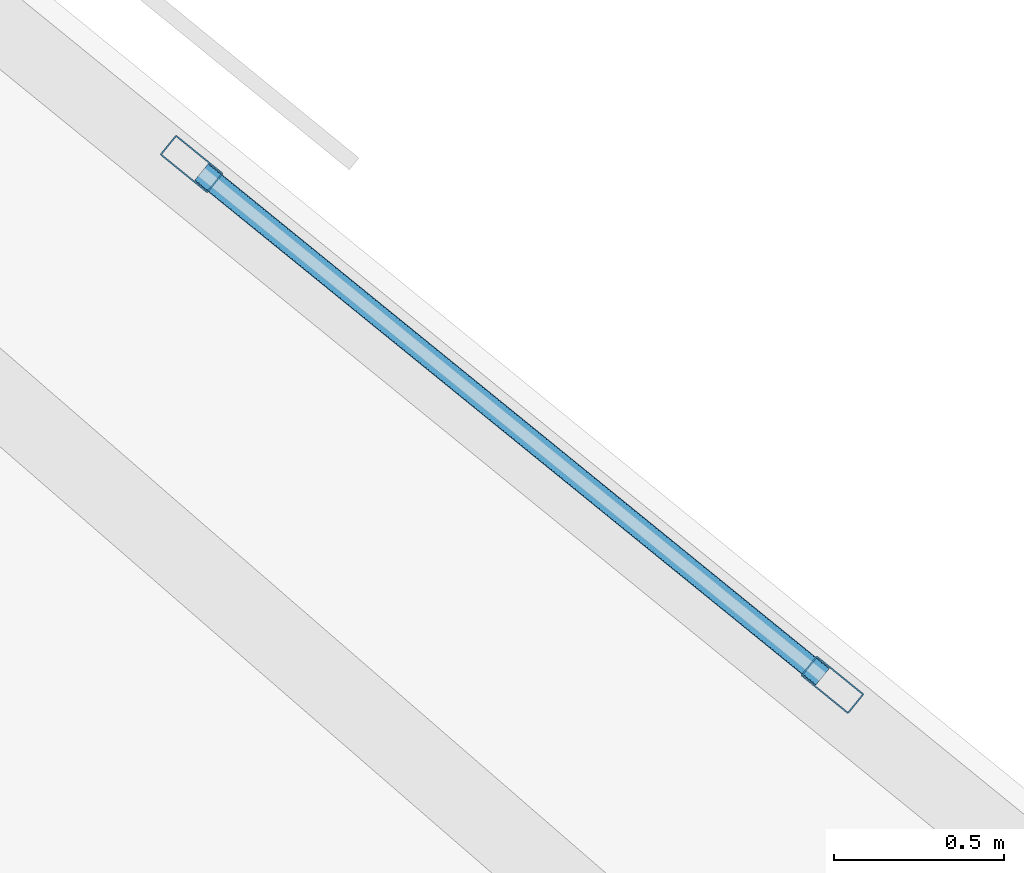
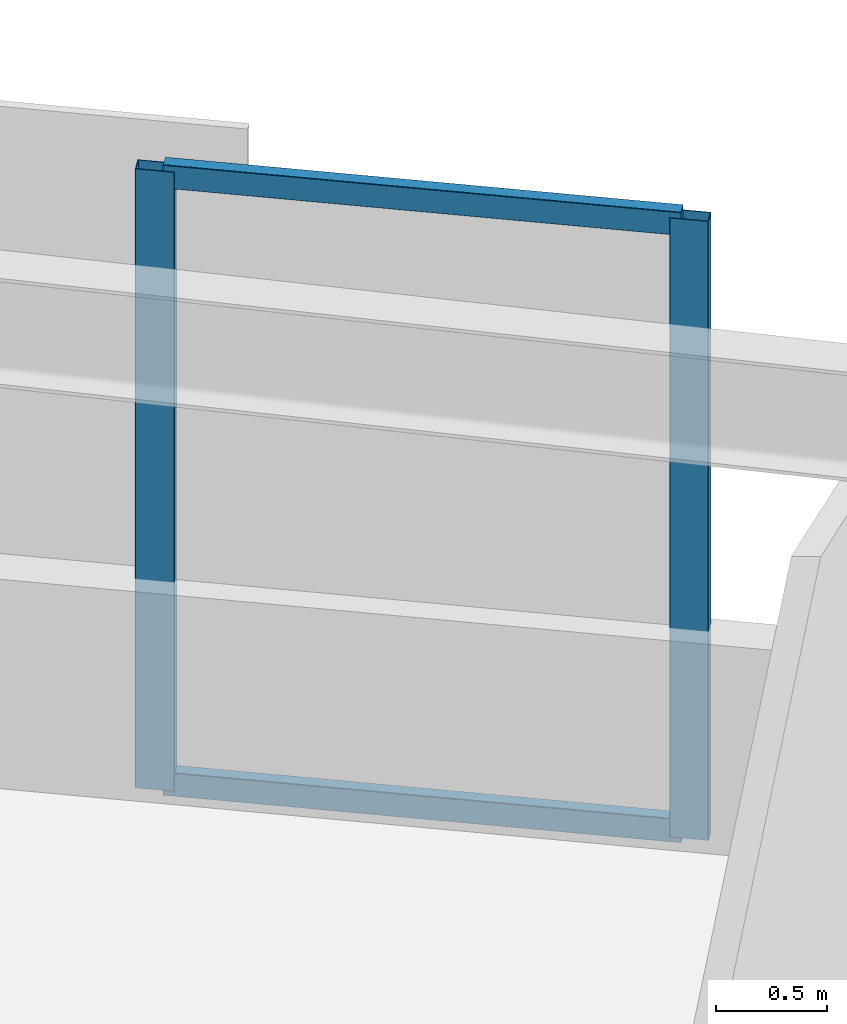
# One storey, part 2 of 17: 4 members, 1 element without a shape of its own.
"""IFC4 building model written with IfcOpenShell, lengths in metres."""

from ifc_helpers import new_model, si_unit, direction, frame, origin, origin_2d, place, context, subcontext, project, spatial, hollow_rectangle, extrude, material, material_profile, profile_set, type_object, element, aggregate, save


model = new_model("IFC4")

# Units and contexts
model_context = context("Model", 3, precision=1e-05, world=origin(), true_north=direction((0.0, 1.0)))
body_context = subcontext(model_context, "Body", "Model", "MODEL_VIEW")
ifc_project = project(units=[si_unit("LENGTHUNIT", "METRE"), si_unit("AREAUNIT", "SQUARE_METRE"), si_unit("VOLUMEUNIT", "CUBIC_METRE"), si_unit("PLANEANGLEUNIT", "RADIAN"), si_unit("MASSUNIT", "GRAM", prefix="KILO")], contexts=[model_context])

# Site, building, storey
site_placement = place(None, origin())
site = spatial("IfcSite", under=ifc_project, at=site_placement, CompositionType="ELEMENT")
building_placement = place(site_placement, origin())
building = spatial("IfcBuilding", under=site, at=building_placement, Name="Narakoshi Arena Tower", CompositionType="ELEMENT")
storey_placement = place(building_placement, frame((0.0, 0.0, 41.10009765625)))
storey = spatial("IfcBuildingStorey", under=building, at=storey_placement, Name="L10", CompositionType="ELEMENT", Elevation=41.10009765625)

# Curtain wall, members
ifc_material = material(Name="Anodised bronze aluminium 6063-T6", Category="aluminium")
curtain_wall_type = type_object("IfcCurtainWallType", Name="CW-HYP-LOW", PredefinedType="NOTDEFINED", material=ifc_material)
curtain_wall_placement = place(storey_placement, origin())
curtain_wall = element("IfcCurtainWall", 1, at=curtain_wall_placement, inside=storey, type_object=curtain_wall_type, Name="L10 Folded Hypotenuse Curtain Wall 2-1", PredefinedType="NOTDEFINED")
ifc_material_profile_1 = material_profile(ifc_material, hollow_rectangle(XDim=0.074951171875, YDim=0.179931640625, WallThickness=0.00390625, OuterFilletRadius=0.0048828125, at=origin_2d()), Name="MUL180x75x4")
ifc_profile_set_1 = profile_set([ifc_material_profile_1], Name="Anodised bronze aluminium 6063-T6")
member_type_1 = type_object("IfcMemberType", Name="MEM-MUL-180", PredefinedType="MULLION", material=ifc_profile_set_1)
member_1_placement = place(storey_placement, frame((93.34521484375, 59.196533203125, 0.0), z_axis=(0.0, 0.0, 1.0), x_axis=(-0.63072316495, -0.776007918256, 0.0)))
member_1 = element("IfcMember", 2, at=member_1_placement, type_object=member_type_1, Name="CW-01 mullion 1", PredefinedType="MULLION", context=body_context, shape_type="SweptSolid", body=[
    extrude(hollow_rectangle(XDim=0.074951171875, YDim=0.179931640625, WallThickness=0.00390625, OuterFilletRadius=0.0048828125, at=origin_2d()), origin(), (0.0, 0.0, 1.0), 3.39990234375),
])
member_2_placement = place(storey_placement, frame((91.45654296875, 60.731689453125, 0.0), z_axis=(0.0, 0.0, 1.0), x_axis=(-0.63072316495, -0.776007918256, 0.0)))
member_2 = element("IfcMember", 3, at=member_2_placement, type_object=member_type_1, Name="CW-01 mullion 2", PredefinedType="MULLION", context=body_context, shape_type="SweptSolid", body=[
    extrude(hollow_rectangle(XDim=0.074951171875, YDim=0.179931640625, WallThickness=0.00390625, OuterFilletRadius=0.0048828125, at=origin_2d()), origin(), (0.0, 0.0, 1.0), 3.39990234375),
])
ifc_material_profile_2 = material_profile(ifc_material, hollow_rectangle(XDim=0.06494140625, YDim=0.1298828125, WallThickness=0.00390625, OuterFilletRadius=0.0048828125, at=origin_2d()), Name="TRN130x65x4")
ifc_profile_set_2 = profile_set([ifc_material_profile_2], Name="Anodised bronze aluminium 6063-T6")
member_type_2 = type_object("IfcMemberType", Name="MEM-TRN-130", PredefinedType="USERDEFINED", material=ifc_profile_set_2)
member_3_placement = place(storey_placement, frame((93.316162109375, 59.22021484375, 0.032470703125), z_axis=(-0.776019017778, 0.630709508448, 0.0), x_axis=(-0.630709508448, -0.776019017778, 0.0)))
member_3 = element("IfcMember", 4, at=member_3_placement, type_object=member_type_2, Name="CW-01 transom 1.1", ObjectType="TRANSOM", PredefinedType="USERDEFINED", context=body_context, shape_type="SweptSolid", body=[
    extrude(hollow_rectangle(XDim=0.06494140625, YDim=0.1298828125, WallThickness=0.00390625, OuterFilletRadius=0.0048828125, at=origin_2d()), origin(), (0.0, 0.0, 1.0), 2.35888671875),
])
member_4_placement = place(storey_placement, frame((93.316162109375, 59.22021484375, 3.367431640625), z_axis=(-0.776019017778, 0.630709508448, 0.0), x_axis=(-0.630709508448, -0.776019017778, 0.0)))
member_4 = element("IfcMember", 5, at=member_4_placement, type_object=member_type_2, Name="CW-01 transom 1.2", ObjectType="TRANSOM", PredefinedType="USERDEFINED", context=body_context, shape_type="SweptSolid", body=[
    extrude(hollow_rectangle(XDim=0.06494140625, YDim=0.1298828125, WallThickness=0.00390625, OuterFilletRadius=0.0048828125, at=origin_2d()), origin(), (0.0, 0.0, 1.0), 2.35888671875),
])
aggregate(curtain_wall, [member_1, member_2, member_3, member_4])

save(model, "model.ifc")
